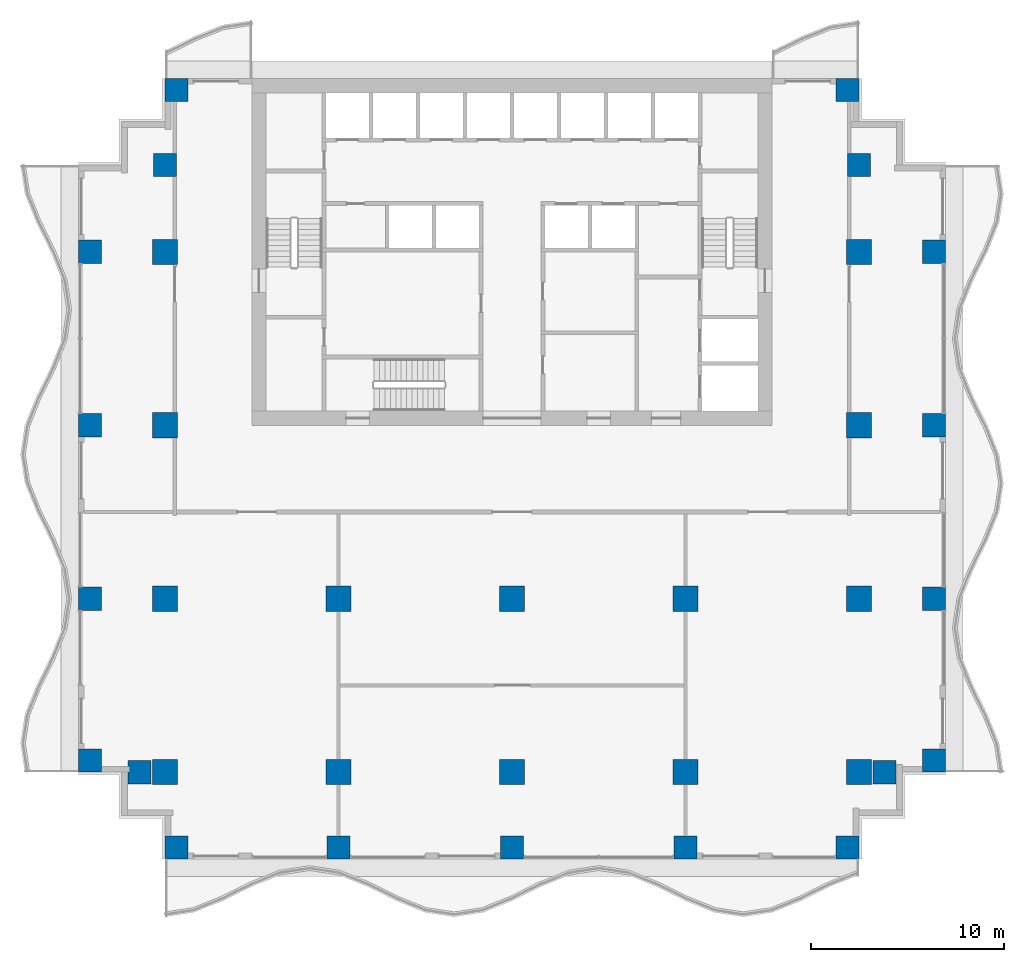
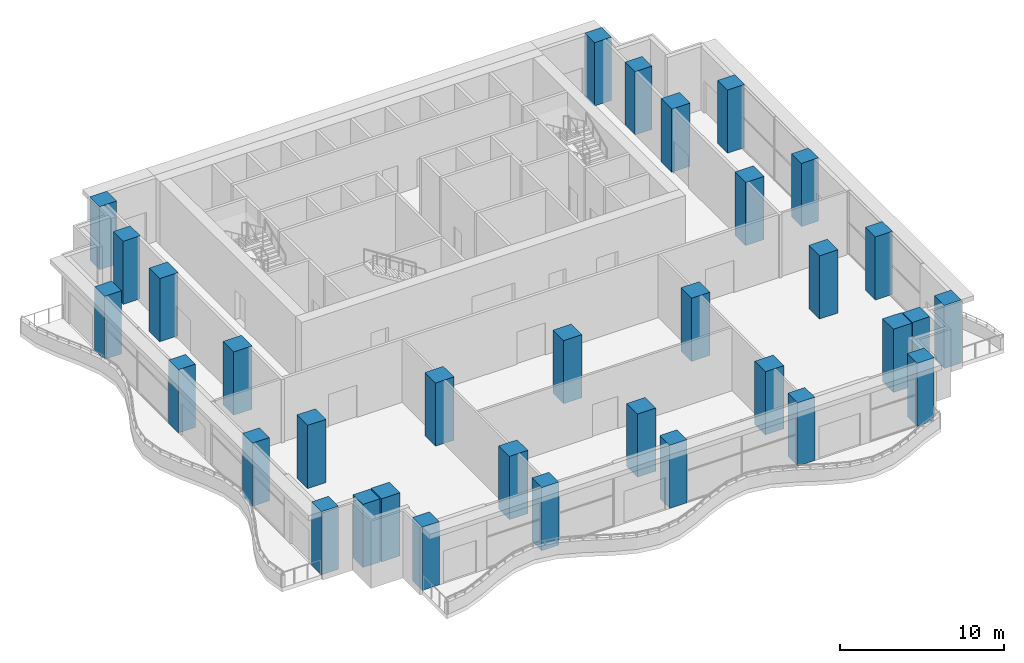
# One storey, part 1 of 14: 33 columns.
"""IFC4 building model written with IfcOpenShell, lengths in metres."""

from ifc_helpers import new_model, si_unit, direction, frame, origin, origin_2d, place, context, subcontext, project, spatial, rectangle, extrude, material, material_profile, profile_set, type_object, element, save


model = new_model("IFC4")

# Units and contexts
model_context = context("Model", 3, precision=1e-05, world=origin(), true_north=direction((0.0, 1.0)))
body_context = subcontext(model_context, "Body", "Model", "MODEL_VIEW")
ifc_project = project(units=[si_unit("LENGTHUNIT", "METRE"), si_unit("AREAUNIT", "SQUARE_METRE"), si_unit("VOLUMEUNIT", "CUBIC_METRE"), si_unit("PLANEANGLEUNIT", "RADIAN"), si_unit("MASSUNIT", "GRAM", prefix="KILO")], contexts=[model_context])

# Site, building, storey
site_placement = place(None, origin())
site = spatial("IfcSite", under=ifc_project, at=site_placement, CompositionType="ELEMENT")
building_placement = place(site_placement, origin())
building = spatial("IfcBuilding", under=site, at=building_placement, Name="Orbiselva Terraces", CompositionType="ELEMENT")
storey_placement = place(building_placement, frame((0.0, 0.0, 120.0)))
storey = spatial("IfcBuildingStorey", under=building, at=storey_placement, Name="L30", CompositionType="ELEMENT", Elevation=120.0)

# Columns
ifc_material_1 = material(Name="Concrete C70/85", Category="concrete")
ifc_material_profile_1 = material_profile(ifc_material_1, rectangle(XDim=1.3, YDim=1.3, at=origin_2d()), Name="RC 1300x1300")
ifc_profile_set_1 = profile_set([ifc_material_profile_1], Name="Concrete C70/85")
column_type_1 = type_object("IfcColumnType", Name="COLUMN RC 1300x1300", PredefinedType="COLUMN", material=ifc_profile_set_1)
for number, where, z_axis, x_axis, name in (
    (1, (-18.0, -13.5, 0.0), (0.0, 0.0, 1.0), (1.0, 0.0, 0.0), "Column L30-01"),
    (2, (-18.0, -4.5, 0.0), (0.0, 0.0, 1.0), (1.0, 0.0, 0.0), "Column L30-03"),
    (3, (-18.0, 13.5, 0.0), (0.0, 0.0, 1.0), (1.0, 0.0, 0.0), "Column L30-04"),
    (4, (-18.0, 4.5, 0.0), (0.0, 0.0, 1.0), (1.0, 0.0, 0.0), "Column L30-06"),
    (5, (-9.0, -13.5, 0.0), (0.0, 0.0, 1.0), (1.0, 0.0, 0.0), "Column L30-13"),
    (6, (-9.0, -4.5, 0.0), (0.0, 0.0, 1.0), (1.0, 0.0, 0.0), "Column L30-15"),
    (7, (0.0, -13.5, 0.0), (0.0, 0.0, 1.0), (1.0, 0.0, 0.0), "Column L30-16"),
    (8, (0.0, -4.5, 0.0), (0.0, 0.0, 1.0), (1.0, 0.0, 0.0), "Column L30-18"),
    (9, (18.0, -13.5, 0.0), (0.0, 0.0, 1.0), (1.0, 0.0, 0.0), "Column L30-19"),
    (10, (18.0, -4.5, 0.0), (0.0, 0.0, 1.0), (1.0, 0.0, 0.0), "Column L30-21"),
    (11, (18.0, 13.5, 0.0), (0.0, 0.0, 1.0), (1.0, 0.0, 0.0), "Column L30-22"),
    (12, (18.0, 4.5, 0.0), (0.0, 0.0, 1.0), (1.0, 0.0, 0.0), "Column L30-24"),
    (13, (9.0, -13.5, 0.0), (0.0, 0.0, 1.0), (1.0, 0.0, 0.0), "Column L30-31"),
    (14, (9.0, -4.5, 0.0), (0.0, 0.0, 1.0), (1.0, 0.0, 0.0), "Column L30-33"),
):
    element("IfcColumn", number, at=place(storey_placement, frame(where, z_axis=z_axis, x_axis=x_axis)), inside=storey, type_object=column_type_1, Name=name, PredefinedType="COLUMN", context=body_context, shape_type="SweptSolid", body=[
        extrude(rectangle(XDim=1.3, YDim=1.3, at=origin_2d()), origin(), (0.0, 0.0, 1.0), 4.7),
    ])
ifc_material_2 = material(Name="Concrete C60/75", Category="concrete")
ifc_material_profile_2 = material_profile(ifc_material_2, rectangle(XDim=1.2, YDim=1.2, at=origin_2d()), Name="RC 1200x1200")
ifc_profile_set_2 = profile_set([ifc_material_profile_2], Name="Concrete C60/75")
column_type_2 = type_object("IfcColumnType", Name="PERIMETER COLUMN RC 1200x1200", PredefinedType="COLUMN", material=ifc_profile_set_2)
for number, where, z_axis, x_axis, name in (
    (15, (-17.4, -17.4, 0.0), (0.0, 0.0, 1.0), (1.0, 0.0, 0.0), "Column L30-02"),
    (16, (-17.4, 21.9, 0.0), (0.0, 0.0, 1.0), (1.0, 0.0, 0.0), "Column L30-05"),
    (17, (-21.9, -12.9, 0.0), (0.0, 0.0, 1.0), (1.0, 0.0, 0.0), "Column L30-07"),
    (18, (-19.32, -13.5, 0.0), (0.0, 0.0, 1.0), (1.0, 0.0, 0.0), "Column L30-08"),
    (19, (-21.9, -4.5, 0.0), (0.0, 0.0, 1.0), (1.0, 0.0, 0.0), "Column L30-09"),
    (20, (-21.9, 13.5, 0.0), (0.0, 0.0, 1.0), (1.0, 0.0, 0.0), "Column L30-10"),
    (21, (-18.0, 18.0, 0.0), (0.0, 0.0, 1.0), (1.0, 0.0, 0.0), "Column L30-11"),
    (22, (-21.9, 4.5, 0.0), (0.0, 0.0, 1.0), (1.0, 0.0, 0.0), "Column L30-12"),
    (23, (-9.0, -17.4, 0.0), (0.0, 0.0, 1.0), (1.0, 0.0, 0.0), "Column L30-14"),
    (24, (0.0, -17.4, 0.0), (0.0, 0.0, 1.0), (1.0, 0.0, 0.0), "Column L30-17"),
    (25, (17.4, -17.4, 0.0), (0.0, 0.0, 1.0), (1.0, 0.0, 0.0), "Column L30-20"),
    (26, (17.4, 21.9, 0.0), (0.0, 0.0, 1.0), (1.0, 0.0, 0.0), "Column L30-23"),
    (27, (21.9, -12.9, 0.0), (0.0, 0.0, 1.0), (1.0, 0.0, 0.0), "Column L30-25"),
    (28, (19.32, -13.5, 0.0), (0.0, 0.0, 1.0), (1.0, 0.0, 0.0), "Column L30-26"),
    (29, (21.9, -4.5, 0.0), (0.0, 0.0, 1.0), (1.0, 0.0, 0.0), "Column L30-27"),
    (30, (21.9, 13.5, 0.0), (0.0, 0.0, 1.0), (1.0, 0.0, 0.0), "Column L30-28"),
    (31, (18.0, 18.0, 0.0), (0.0, 0.0, 1.0), (1.0, 0.0, 0.0), "Column L30-29"),
    (32, (21.9, 4.5, 0.0), (0.0, 0.0, 1.0), (1.0, 0.0, 0.0), "Column L30-30"),
    (33, (9.0, -17.4, 0.0), (0.0, 0.0, 1.0), (1.0, 0.0, 0.0), "Column L30-32"),
):
    element("IfcColumn", number, at=place(storey_placement, frame(where, z_axis=z_axis, x_axis=x_axis)), inside=storey, type_object=column_type_2, Name=name, PredefinedType="COLUMN", context=body_context, shape_type="SweptSolid", body=[
        extrude(rectangle(XDim=1.2, YDim=1.2, at=origin_2d()), origin(), (0.0, 0.0, 1.0), 4.7),
    ])

save(model, "model.ifc")
